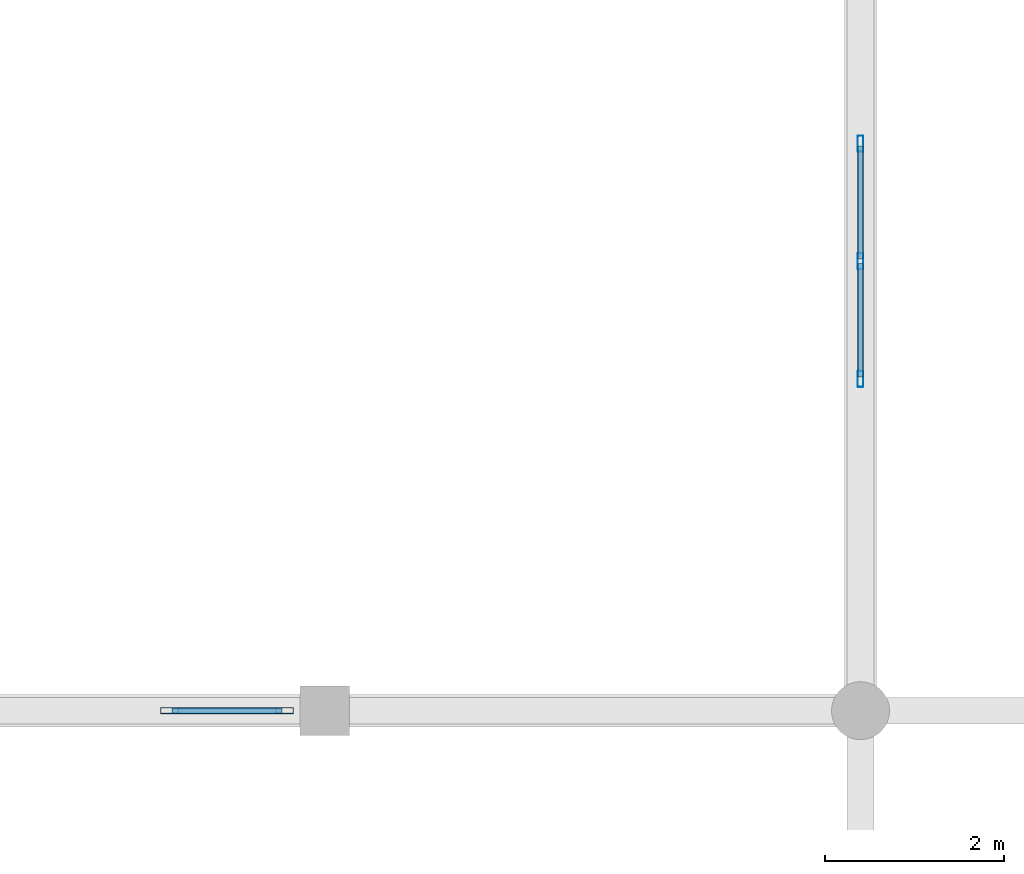
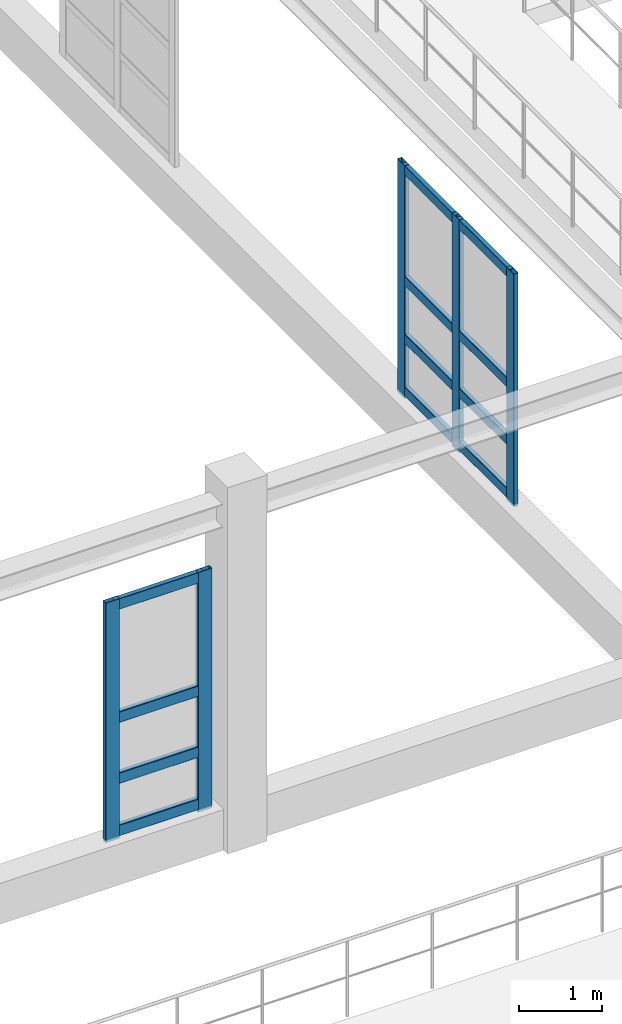
# One storey, part 65 of 197: 17 members, 2 elements without a shape of their own.
"""IFC4 building model written with IfcOpenShell, lengths in metres."""

from ifc_helpers import new_model, si_unit, derived_unit, direction, frame, origin, origin_2d, place, context, subcontext, project, spatial, hollow_rectangle, extrude, material, layer, layer_set, material_profile, profile_set, type_object, element, aggregate, save


model = new_model("IFC4")

# Units and contexts
model_context = context("Model", 3, precision=1e-05, world=origin(), true_north=direction((0.0, 1.0)))
body_context = subcontext(model_context, "Body", "Model", "MODEL_VIEW")
ifc_project = project(units=[si_unit("LENGTHUNIT", "METRE"), si_unit("AREAUNIT", "SQUARE_METRE"), si_unit("VOLUMEUNIT", "CUBIC_METRE"), si_unit("PLANEANGLEUNIT", "RADIAN"), si_unit("MASSUNIT", "GRAM", prefix="KILO"), derived_unit("THERMALTRANSMITTANCEUNIT", [(si_unit("POWERUNIT", "WATT"), 1), (si_unit("LENGTHUNIT", "METRE"), -2), (si_unit("THERMODYNAMICTEMPERATUREUNIT", "KELVIN"), -1)])], contexts=[model_context])

# Site, building, storey
site_placement = place(None, origin())
site = spatial("IfcSite", under=ifc_project, at=site_placement, CompositionType="ELEMENT")
building_placement = place(site_placement, origin())
building = spatial("IfcBuilding", under=site, at=building_placement, Name="Almenara Railside Exhibition Hall", CompositionType="ELEMENT")
storey_placement = place(building_placement, frame((0.0, 0.0, 5.39990234375)))
storey = spatial("IfcBuildingStorey", under=building, at=storey_placement, Name="L01", CompositionType="ELEMENT", Elevation=5.39990234375)

# Curtain wall, members
ifc_material_1 = material(Name="Bronze-anodised aluminium and low-E double glazing", Category="aluminium")
ifc_layer_1 = layer(ifc_material_1, 0.179931640625, Name="Bronze-anodised aluminium and low-E double glazing")
ifc_layer_set_1 = layer_set([ifc_layer_1], Name="Bronze-anodised aluminium and low-E double glazing")
curtain_wall_type_1 = type_object("IfcCurtainWallType", Name="Courtyard South Galeria Curtain Wall 2700x3400", PredefinedType="NOTDEFINED", material=ifc_layer_set_1)
curtain_wall_1_placement = place(storey_placement, origin())
curtain_wall_1 = element("IfcCurtainWall", 1, at=curtain_wall_1_placement, inside=storey, type_object=curtain_wall_type_1, Name="Curtain wall CW-CY3-148", PredefinedType="NOTDEFINED")
ifc_material_2 = material(Name="Bronze-anodised aluminium", Category="aluminium")
ifc_material_profile_1 = material_profile(ifc_material_2, hollow_rectangle(XDim=0.06494140625, YDim=0.179931640625, WallThickness=0.00390625, InnerFilletRadius=0.00390625, OuterFilletRadius=0.008056640625, at=origin_2d()), Name="ALU-MUL 65x180x4")
ifc_profile_set_1 = profile_set([ifc_material_profile_1], Name="Bronze-anodised aluminium")
member_type_1 = type_object("IfcMemberType", Name="Curtain Wall Mullion 65x180x4", PredefinedType="MULLION", material=ifc_profile_set_1)
member_1_placement = place(storey_placement, frame((120.0, 57.71435546875, 0.565185546875), z_axis=(0.0, 0.0, 1.0), x_axis=(-1.0, 0.0, 0.0)))
member_1 = element("IfcMember", 2, at=member_1_placement, type_object=member_type_1, Name="CW-CY3-148 mullion 1", PredefinedType="MULLION", context=body_context, shape_type="SweptSolid", body=[
    extrude(hollow_rectangle(XDim=0.06494140625, YDim=0.179931640625, WallThickness=0.00390625, InnerFilletRadius=0.00390625, OuterFilletRadius=0.008056640625, at=origin_2d()), origin(), (0.0, 0.0, 1.0), 3.434814453125),
])
member_2_placement = place(storey_placement, frame((120.0, 59.03173828125, 0.565185546875), z_axis=(0.0, 0.0, 1.0), x_axis=(-1.0, 0.0, 0.0)))
member_2 = element("IfcMember", 3, at=member_2_placement, type_object=member_type_1, Name="CW-CY3-148 mullion 2", PredefinedType="MULLION", context=body_context, shape_type="SweptSolid", body=[
    extrude(hollow_rectangle(XDim=0.06494140625, YDim=0.179931640625, WallThickness=0.00390625, InnerFilletRadius=0.00390625, OuterFilletRadius=0.008056640625, at=origin_2d()), origin(), (0.0, 0.0, 1.0), 3.434814453125),
])
member_3_placement = place(storey_placement, frame((120.0, 60.349365234375, 0.565185546875), z_axis=(0.0, 0.0, 1.0), x_axis=(-1.0, 0.0, 0.0)))
member_3 = element("IfcMember", 4, at=member_3_placement, type_object=member_type_1, Name="CW-CY3-148 mullion 3", PredefinedType="MULLION", context=body_context, shape_type="SweptSolid", body=[
    extrude(hollow_rectangle(XDim=0.06494140625, YDim=0.179931640625, WallThickness=0.00390625, InnerFilletRadius=0.00390625, OuterFilletRadius=0.008056640625, at=origin_2d()), origin(), (0.0, 0.0, 1.0), 3.434814453125),
])

ifc_layer_2 = layer(ifc_material_1, 0.179931640625, Name="Bronze-anodised aluminium and low-E double glazing")
ifc_layer_set_2 = layer_set([ifc_layer_2], Name="Bronze-anodised aluminium and low-E double glazing")
curtain_wall_type_2 = type_object("IfcCurtainWallType", Name="Courtyard East Galeria Curtain Wall 2900x3500", PredefinedType="NOTDEFINED", material=ifc_layer_set_2)
curtain_wall_2_placement = place(storey_placement, origin())
curtain_wall_2 = element("IfcCurtainWall", 5, at=curtain_wall_2_placement, inside=storey, type_object=curtain_wall_type_2, Name="Curtain wall CW-CY2-147", PredefinedType="NOTDEFINED")
ifc_material_profile_2 = material_profile(ifc_material_2, hollow_rectangle(XDim=0.070068359375, YDim=0.199951171875, WallThickness=0.00439453125, InnerFilletRadius=0.00439453125, OuterFilletRadius=0.009033203125, at=origin_2d()), Name="ALU-MUL 70x200x4.5")
ifc_profile_set_2 = profile_set([ifc_material_profile_2], Name="Bronze-anodised aluminium")
member_type_2 = type_object("IfcMemberType", Name="Curtain Wall Mullion 70x200x4.5", PredefinedType="MULLION", material=ifc_profile_set_2)
member_4_placement = place(storey_placement, frame((112.26220703125, 54.0, 0.565185546875), z_axis=(0.0, 0.0, 1.0), x_axis=(0.0, 1.0, 0.0)))
member_4 = element("IfcMember", 6, at=member_4_placement, type_object=member_type_2, Name="CW-CY2-147 mullion 1", PredefinedType="MULLION", context=body_context, shape_type="SweptSolid", body=[
    extrude(hollow_rectangle(XDim=0.070068359375, YDim=0.199951171875, WallThickness=0.00439453125, InnerFilletRadius=0.00439453125, OuterFilletRadius=0.009033203125, at=origin_2d()), origin(), (0.0, 0.0, 1.0), 3.534912109375),
])
member_5_placement = place(storey_placement, frame((113.550048828125, 54.0, 0.565185546875), z_axis=(0.0, 0.0, 1.0), x_axis=(0.0, 1.0, 0.0)))
member_5 = element("IfcMember", 7, at=member_5_placement, type_object=member_type_2, Name="CW-CY2-147 mullion 2", PredefinedType="MULLION", context=body_context, shape_type="SweptSolid", body=[
    extrude(hollow_rectangle(XDim=0.070068359375, YDim=0.199951171875, WallThickness=0.00439453125, InnerFilletRadius=0.00439453125, OuterFilletRadius=0.009033203125, at=origin_2d()), origin(), (0.0, 0.0, 1.0), 3.534912109375),
])

# Member
ifc_material_profile_3 = material_profile(ifc_material_2, hollow_rectangle(XDim=0.06494140625, YDim=0.139892578125, WallThickness=0.00341796875, InnerFilletRadius=0.00341796875, OuterFilletRadius=0.007080078125, at=origin_2d()), Name="ALU-TRN 65x140x3.5")
ifc_profile_set_3 = profile_set([ifc_material_profile_3], Name="Bronze-anodised aluminium")
member_type_3 = type_object("IfcMemberType", Name="Curtain Wall Transom 65x140x3.5", PredefinedType="USERDEFINED", material=ifc_profile_set_3)
member_6_placement = place(storey_placement, frame((120.0, 57.73876953125, 0.670166015625), z_axis=(0.0, 1.0, 0.0), x_axis=(-1.0, 0.0, 0.0)))
member_6 = element("IfcMember", 8, at=member_6_placement, type_object=member_type_3, Name="CW-CY3-148 transom 1.1", ObjectType="TRANSOM", PredefinedType="USERDEFINED", context=body_context, shape_type="SweptSolid", body=[
    extrude(hollow_rectangle(XDim=0.06494140625, YDim=0.139892578125, WallThickness=0.00341796875, InnerFilletRadius=0.00341796875, OuterFilletRadius=0.007080078125, at=origin_2d()), origin(), (0.0, 0.0, 1.0), 1.2685546875),
])

member_7_placement = place(storey_placement, frame((120.0, 57.73876953125, 1.4501953125), z_axis=(0.0, 1.0, 0.0), x_axis=(-1.0, 0.0, 0.0)))
member_7 = element("IfcMember", 9, at=member_7_placement, type_object=member_type_3, Name="CW-CY3-148 transom 1.2", ObjectType="TRANSOM", PredefinedType="USERDEFINED", context=body_context, shape_type="SweptSolid", body=[
    extrude(hollow_rectangle(XDim=0.06494140625, YDim=0.139892578125, WallThickness=0.00341796875, InnerFilletRadius=0.00341796875, OuterFilletRadius=0.007080078125, at=origin_2d()), origin(), (0.0, 0.0, 1.0), 1.2685546875),
])

member_8_placement = place(storey_placement, frame((120.0, 57.73876953125, 2.300048828125), z_axis=(0.0, 1.0, 0.0), x_axis=(-1.0, 0.0, 0.0)))
member_8 = element("IfcMember", 10, at=member_8_placement, type_object=member_type_3, Name="CW-CY3-148 transom 1.3", ObjectType="TRANSOM", PredefinedType="USERDEFINED", context=body_context, shape_type="SweptSolid", body=[
    extrude(hollow_rectangle(XDim=0.06494140625, YDim=0.139892578125, WallThickness=0.00341796875, InnerFilletRadius=0.00341796875, OuterFilletRadius=0.007080078125, at=origin_2d()), origin(), (0.0, 0.0, 1.0), 1.2685546875),
])

member_9_placement = place(storey_placement, frame((120.0, 57.73876953125, 3.93017578125), z_axis=(0.0, 1.0, 0.0), x_axis=(-1.0, 0.0, 0.0)))
member_9 = element("IfcMember", 11, at=member_9_placement, type_object=member_type_3, Name="CW-CY3-148 transom 1.4", ObjectType="TRANSOM", PredefinedType="USERDEFINED", context=body_context, shape_type="SweptSolid", body=[
    extrude(hollow_rectangle(XDim=0.06494140625, YDim=0.139892578125, WallThickness=0.00341796875, InnerFilletRadius=0.00341796875, OuterFilletRadius=0.007080078125, at=origin_2d()), origin(), (0.0, 0.0, 1.0), 1.2685546875),
])

member_10_placement = place(storey_placement, frame((120.0, 59.056396484375, 0.670166015625), z_axis=(0.0, 1.0, 0.0), x_axis=(-1.0, 0.0, 0.0)))
member_10 = element("IfcMember", 12, at=member_10_placement, type_object=member_type_3, Name="CW-CY3-148 transom 2.1", ObjectType="TRANSOM", PredefinedType="USERDEFINED", context=body_context, shape_type="SweptSolid", body=[
    extrude(hollow_rectangle(XDim=0.06494140625, YDim=0.139892578125, WallThickness=0.00341796875, InnerFilletRadius=0.00341796875, OuterFilletRadius=0.007080078125, at=origin_2d()), origin(), (0.0, 0.0, 1.0), 1.268310546875),
])

member_11_placement = place(storey_placement, frame((120.0, 59.056396484375, 1.4501953125), z_axis=(0.0, 1.0, 0.0), x_axis=(-1.0, 0.0, 0.0)))
member_11 = element("IfcMember", 13, at=member_11_placement, type_object=member_type_3, Name="CW-CY3-148 transom 2.2", ObjectType="TRANSOM", PredefinedType="USERDEFINED", context=body_context, shape_type="SweptSolid", body=[
    extrude(hollow_rectangle(XDim=0.06494140625, YDim=0.139892578125, WallThickness=0.00341796875, InnerFilletRadius=0.00341796875, OuterFilletRadius=0.007080078125, at=origin_2d()), origin(), (0.0, 0.0, 1.0), 1.268310546875),
])

member_12_placement = place(storey_placement, frame((120.0, 59.056396484375, 2.300048828125), z_axis=(0.0, 1.0, 0.0), x_axis=(-1.0, 0.0, 0.0)))
member_12 = element("IfcMember", 14, at=member_12_placement, type_object=member_type_3, Name="CW-CY3-148 transom 2.3", ObjectType="TRANSOM", PredefinedType="USERDEFINED", context=body_context, shape_type="SweptSolid", body=[
    extrude(hollow_rectangle(XDim=0.06494140625, YDim=0.139892578125, WallThickness=0.00341796875, InnerFilletRadius=0.00341796875, OuterFilletRadius=0.007080078125, at=origin_2d()), origin(), (0.0, 0.0, 1.0), 1.268310546875),
])

member_13_placement = place(storey_placement, frame((120.0, 59.056396484375, 3.93017578125), z_axis=(0.0, 1.0, 0.0), x_axis=(-1.0, 0.0, 0.0)))
member_13 = element("IfcMember", 15, at=member_13_placement, type_object=member_type_3, Name="CW-CY3-148 transom 2.4", ObjectType="TRANSOM", PredefinedType="USERDEFINED", context=body_context, shape_type="SweptSolid", body=[
    extrude(hollow_rectangle(XDim=0.06494140625, YDim=0.139892578125, WallThickness=0.00341796875, InnerFilletRadius=0.00341796875, OuterFilletRadius=0.007080078125, at=origin_2d()), origin(), (0.0, 0.0, 1.0), 1.268310546875),
])

aggregate(curtain_wall_1, [member_1, member_2, member_3, member_6, member_7, member_8, member_9, member_10, member_11, member_12, member_13])

ifc_material_profile_4 = material_profile(ifc_material_2, hollow_rectangle(XDim=0.070068359375, YDim=0.159912109375, WallThickness=0.00390625, InnerFilletRadius=0.00390625, OuterFilletRadius=0.008056640625, at=origin_2d()), Name="ALU-TRN 70x160x4")
ifc_profile_set_4 = profile_set([ifc_material_profile_4], Name="Bronze-anodised aluminium")
member_type_4 = type_object("IfcMemberType", Name="Curtain Wall Transom 70x160x4", PredefinedType="USERDEFINED", material=ifc_profile_set_4)
member_14_placement = place(storey_placement, frame((112.289306640625, 54.0, 0.68017578125), z_axis=(1.0, 0.0, 0.0), x_axis=(0.0, 1.0, 0.0)))
member_14 = element("IfcMember", 16, at=member_14_placement, type_object=member_type_4, Name="CW-CY2-147 transom 1.1", ObjectType="TRANSOM", PredefinedType="USERDEFINED", context=body_context, shape_type="SweptSolid", body=[
    extrude(hollow_rectangle(XDim=0.070068359375, YDim=0.159912109375, WallThickness=0.00390625, InnerFilletRadius=0.00390625, OuterFilletRadius=0.008056640625, at=origin_2d()), origin(), (0.0, 0.0, 1.0), 1.233642578125),
])

member_15_placement = place(storey_placement, frame((112.289306640625, 54.0, 1.4501953125), z_axis=(1.0, 0.0, 0.0), x_axis=(0.0, 1.0, 0.0)))
member_15 = element("IfcMember", 17, at=member_15_placement, type_object=member_type_4, Name="CW-CY2-147 transom 1.2", ObjectType="TRANSOM", PredefinedType="USERDEFINED", context=body_context, shape_type="SweptSolid", body=[
    extrude(hollow_rectangle(XDim=0.070068359375, YDim=0.159912109375, WallThickness=0.00390625, InnerFilletRadius=0.00390625, OuterFilletRadius=0.008056640625, at=origin_2d()), origin(), (0.0, 0.0, 1.0), 1.233642578125),
])

member_16_placement = place(storey_placement, frame((112.289306640625, 54.0, 2.35009765625), z_axis=(1.0, 0.0, 0.0), x_axis=(0.0, 1.0, 0.0)))
member_16 = element("IfcMember", 18, at=member_16_placement, type_object=member_type_4, Name="CW-CY2-147 transom 1.3", ObjectType="TRANSOM", PredefinedType="USERDEFINED", context=body_context, shape_type="SweptSolid", body=[
    extrude(hollow_rectangle(XDim=0.070068359375, YDim=0.159912109375, WallThickness=0.00390625, InnerFilletRadius=0.00390625, OuterFilletRadius=0.008056640625, at=origin_2d()), origin(), (0.0, 0.0, 1.0), 1.233642578125),
])

member_17_placement = place(storey_placement, frame((112.289306640625, 54.0, 4.02001953125), z_axis=(1.0, 0.0, 0.0), x_axis=(0.0, 1.0, 0.0)))
member_17 = element("IfcMember", 19, at=member_17_placement, type_object=member_type_4, Name="CW-CY2-147 transom 1.4", ObjectType="TRANSOM", PredefinedType="USERDEFINED", context=body_context, shape_type="SweptSolid", body=[
    extrude(hollow_rectangle(XDim=0.070068359375, YDim=0.159912109375, WallThickness=0.00390625, InnerFilletRadius=0.00390625, OuterFilletRadius=0.008056640625, at=origin_2d()), origin(), (0.0, 0.0, 1.0), 1.233642578125),
])

aggregate(curtain_wall_2, [member_4, member_5, member_14, member_15, member_16, member_17])

save(model, "model.ifc")
